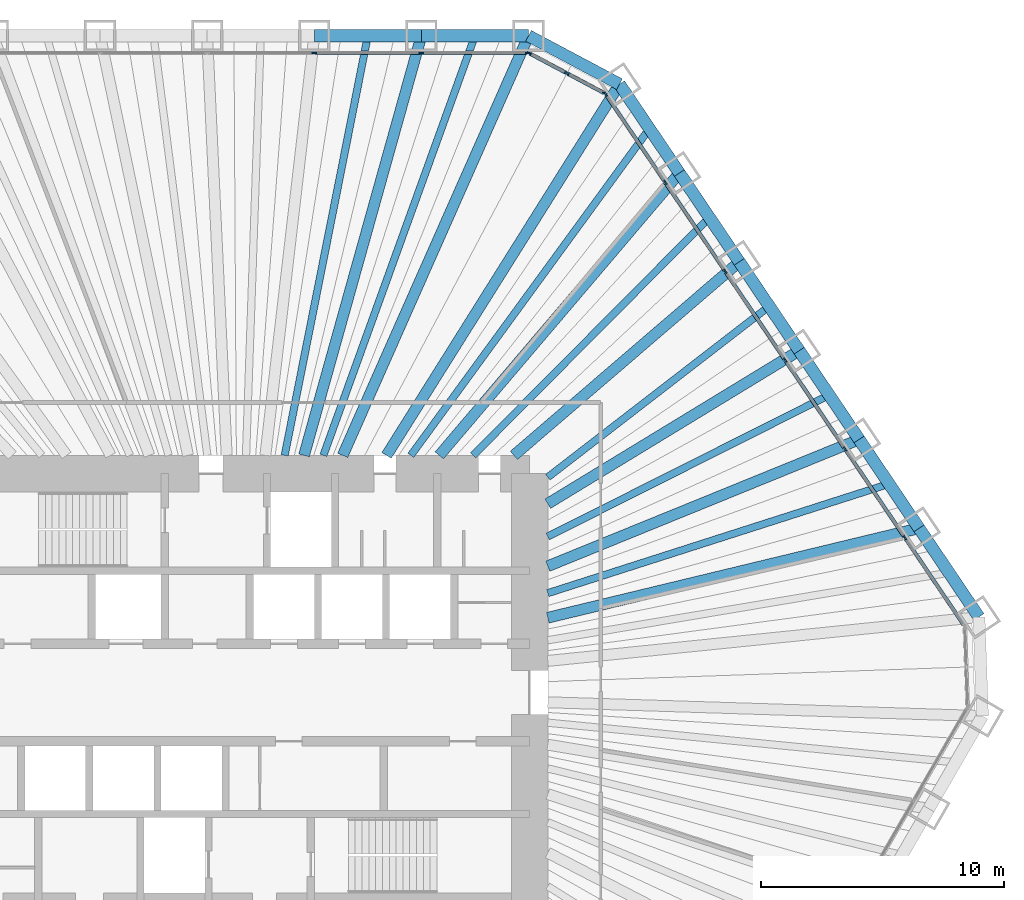
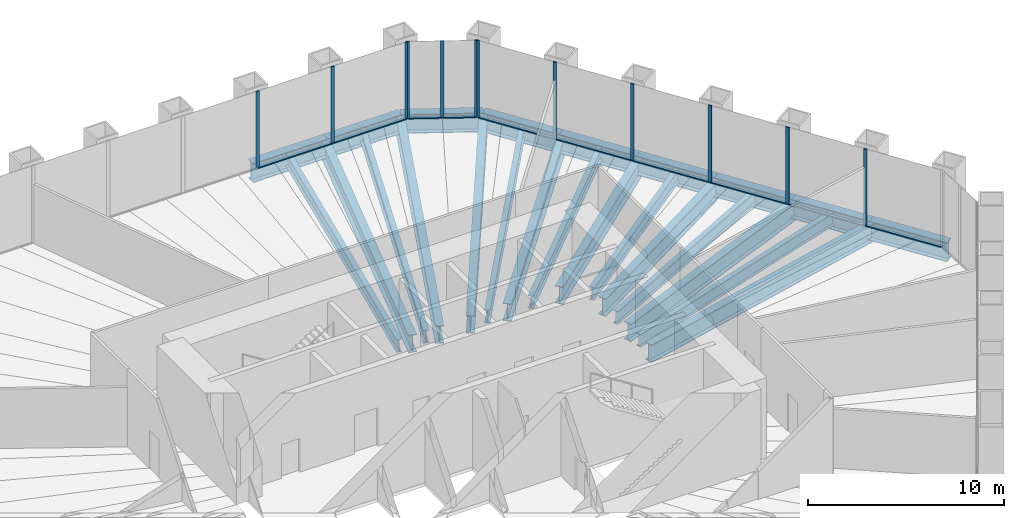
# One storey, part 7 of 13: 24 beams, 22 members, 3 elements without a shape of their own.
"""IFC4 building model written with IfcOpenShell, lengths in metres."""

from ifc_helpers import new_model, si_unit, direction, frame, origin, origin_2d, place, context, subcontext, project, spatial, rectangle, i_section, extrude, material, material_profile, profile_set, type_object, element, aggregate, save


model = new_model("IFC4")

# Units and contexts
model_context = context("Model", 3, precision=1e-05, world=origin(), true_north=direction((0.0, 1.0)))
body_context = subcontext(model_context, "Body", "Model", "MODEL_VIEW")
ifc_project = project(units=[si_unit("LENGTHUNIT", "METRE"), si_unit("AREAUNIT", "SQUARE_METRE"), si_unit("VOLUMEUNIT", "CUBIC_METRE"), si_unit("PLANEANGLEUNIT", "RADIAN"), si_unit("MASSUNIT", "GRAM", prefix="KILO")], contexts=[model_context])

# Site, building, storey
site_placement = place(None, origin())
site = spatial("IfcSite", under=ifc_project, at=site_placement, CompositionType="ELEMENT")
building_placement = place(site_placement, origin())
building = spatial("IfcBuilding", under=site, at=building_placement, Name="Qingtian Harvest Tower", CompositionType="ELEMENT")
storey_placement = place(building_placement, frame((0.0, 0.0, 22.0)))
storey = spatial("IfcBuildingStorey", under=building, at=storey_placement, Name="L04", CompositionType="ELEMENT", Elevation=22.0)

# Beams
ifc_material_1 = material(Name="Steel SM570MC", Category="steel")
ifc_material_profile_1 = material_profile(ifc_material_1, i_section(OverallWidth=0.449951171875, OverallDepth=1.10009765625, WebThickness=0.02197265625, FlangeThickness=0.044921875, at=origin_2d()), Name="H1100x450x22x45")
ifc_profile_set_1 = profile_set([ifc_material_profile_1], Name="Steel SM570MC")
beam_type_1 = type_object("IfcBeamType", Name="Corner floor beam FB8 H1100x450x22x45", PredefinedType="BEAM", material=ifc_profile_set_1)
beam_1_placement = place(storey_placement, frame((11.9560546875, 27.0, -0.75), z_axis=(-0.404898955654, -0.914361436036, 0.0), x_axis=(0.914361436036, -0.404898955654, 0.0)))
element("IfcBeam", 1, at=beam_1_placement, inside=storey, type_object=beam_type_1, Name="Floor beam FB8 N6", PredefinedType="BEAM", context=body_context, shape_type="SweptSolid", body=[
    extrude(i_section(OverallWidth=0.449951171875, OverallDepth=1.10009765625, WebThickness=0.02197265625, FlangeThickness=0.044921875, at=origin_2d()), origin(), (0.0, 0.0, 1.0), 18.86572265625),
])
beam_2_placement = place(storey_placement, frame((15.6982421875, 25.01025390625, -0.75), z_axis=(-0.531622796942, -0.846981228701, 0.0), x_axis=(0.846981228701, -0.531622796942, 0.0)))
element("IfcBeam", 2, at=beam_2_placement, inside=storey, type_object=beam_type_1, Name="Floor beam FB8 NE0", PredefinedType="BEAM", context=body_context, shape_type="SweptSolid", body=[
    extrude(i_section(OverallWidth=0.449951171875, OverallDepth=1.10009765625, WebThickness=0.02197265625, FlangeThickness=0.044921875, at=origin_2d()), origin(), (0.0, 0.0, 1.0), 18.017333984375),
])
ifc_material_2 = material(Name="Steel SM570MC", Category="steel")
ifc_material_profile_2 = material_profile(ifc_material_2, i_section(OverallWidth=0.449951171875, OverallDepth=1.10009765625, WebThickness=0.02197265625, FlangeThickness=0.044921875, at=origin_2d()), Name="H1100x450x22x45")
ifc_profile_set_2 = profile_set([ifc_material_profile_2], Name="Steel SM570MC")
beam_type_2 = type_object("IfcBeamType", Name="Floor beam FB1 H1100x450x22x45", PredefinedType="BEAM", material=ifc_profile_set_2)
beam_3_placement = place(storey_placement, frame((7.551513671875, 27.0, -0.75), z_axis=(-0.269343258019, -0.963044240604, 0.0), x_axis=(0.963044240604, -0.269343258019, 0.0)))
element("IfcBeam", 3, at=beam_3_placement, inside=storey, type_object=beam_type_2, Name="Floor beam FB1 N5", PredefinedType="BEAM", context=body_context, shape_type="SweptSolid", body=[
    extrude(i_section(OverallWidth=0.449951171875, OverallDepth=1.10009765625, WebThickness=0.02197265625, FlangeThickness=0.044921875, at=origin_2d()), origin(), (0.0, 0.0, 1.0), 17.911865234375),
])
beam_4_placement = place(storey_placement, frame((18.1611328125, 21.358642578125, -0.75), z_axis=(-0.647781887327, -0.761825850474, 0.0), x_axis=(0.761825850474, -0.647781887327, 0.0)))
element("IfcBeam", 4, at=beam_4_placement, inside=storey, type_object=beam_type_2, Name="Floor beam FB1 NE1", PredefinedType="BEAM", context=body_context, shape_type="SweptSolid", body=[
    extrude(i_section(OverallWidth=0.449951171875, OverallDepth=1.10009765625, WebThickness=0.02197265625, FlangeThickness=0.044921875, at=origin_2d()), origin(), (0.0, 0.0, 1.0), 15.238037109375),
])
beam_5_placement = place(storey_placement, frame((20.624267578125, 17.70703125, -0.75), z_axis=(-0.75873153072, -0.651403457384, 0.0), x_axis=(0.651403457384, -0.75873153072, 0.0)))
element("IfcBeam", 5, at=beam_5_placement, inside=storey, type_object=beam_type_2, Name="Floor beam FB1 NE2", PredefinedType="BEAM", context=body_context, shape_type="SweptSolid", body=[
    extrude(i_section(OverallWidth=0.449951171875, OverallDepth=1.10009765625, WebThickness=0.02197265625, FlangeThickness=0.044921875, at=origin_2d()), origin(), (0.0, 0.0, 1.0), 12.21533203125),
])
beam_6_placement = place(storey_placement, frame((23.08740234375, 14.0556640625, -0.75), z_axis=(-0.854157261259, -0.520014781558, 0.0), x_axis=(0.520014781558, -0.854157261259, 0.0)))
element("IfcBeam", 6, at=beam_6_placement, inside=storey, type_object=beam_type_2, Name="Floor beam FB1 NE3", PredefinedType="BEAM", context=body_context, shape_type="SweptSolid", body=[
    extrude(i_section(OverallWidth=0.449951171875, OverallDepth=1.10009765625, WebThickness=0.02197265625, FlangeThickness=0.044921875, at=origin_2d()), origin(), (0.0, 0.0, 1.0), 12.1025390625),
])
beam_7_placement = place(storey_placement, frame((25.55029296875, 10.404052734375, -0.75), z_axis=(-0.926156354735, -0.37713977062, 0.0), x_axis=(0.37713977062, -0.926156354735, 0.0)))
element("IfcBeam", 7, at=beam_7_placement, inside=storey, type_object=beam_type_2, Name="Floor beam FB1 NE4", PredefinedType="BEAM", context=body_context, shape_type="SweptSolid", body=[
    extrude(i_section(OverallWidth=0.449951171875, OverallDepth=1.10009765625, WebThickness=0.02197265625, FlangeThickness=0.044921875, at=origin_2d()), origin(), (0.0, 0.0, 1.0), 13.82080078125),
])
beam_8_placement = place(storey_placement, frame((28.013427734375, 6.75244140625, -0.75), z_axis=(-0.972155908389, -0.234334994792, 0.0), x_axis=(0.234334994792, -0.972155908389, 0.0)))
element("IfcBeam", 8, at=beam_8_placement, inside=storey, type_object=beam_type_2, Name="Floor beam FB1 NE5", PredefinedType="BEAM", context=body_context, shape_type="SweptSolid", body=[
    extrude(i_section(OverallWidth=0.449951171875, OverallDepth=1.10009765625, WebThickness=0.02197265625, FlangeThickness=0.044921875, at=origin_2d()), origin(), (0.0, 0.0, 1.0), 15.70068359375),
])
ifc_material_3 = material(Name="Steel SN490B", Category="steel")
ifc_material_profile_3 = material_profile(ifc_material_3, i_section(OverallWidth=0.300048828125, OverallDepth=0.800048828125, WebThickness=0.013916015625, FlangeThickness=0.02587890625, at=origin_2d()), Name="H800x300x14x26")
ifc_profile_set_3 = profile_set([ifc_material_profile_3], Name="Steel SN490B")
beam_type_3 = type_object("IfcBeamType", Name="Floor joist J1 H800x300x14x26", PredefinedType="JOIST", material=ifc_profile_set_3)
beam_9_placement = place(storey_placement, frame((5.349365234375, 27.0, -0.60009765625), z_axis=(-0.19435104803, -0.980932041545, 0.0), x_axis=(0.980932041545, -0.19435104803, 0.0)))
element("IfcBeam", 9, at=beam_9_placement, inside=storey, type_object=beam_type_3, Name="Floor joist J1 N4", PredefinedType="JOIST", context=body_context, shape_type="SweptSolid", body=[
    extrude(i_section(OverallWidth=0.300048828125, OverallDepth=0.800048828125, WebThickness=0.013916015625, FlangeThickness=0.02587890625, at=origin_2d()), origin(), (0.0, 0.0, 1.0), 17.585205078125),
])
beam_10_placement = place(storey_placement, frame((9.75390625, 27.0, -0.60009765625), z_axis=(-0.339766141765, -0.940509951521, 0.0), x_axis=(0.940509951521, -0.339766141765, 0.0)))
element("IfcBeam", 10, at=beam_10_placement, inside=storey, type_object=beam_type_3, Name="Floor joist J1 N5", PredefinedType="JOIST", context=body_context, shape_type="SweptSolid", body=[
    extrude(i_section(OverallWidth=0.300048828125, OverallDepth=0.800048828125, WebThickness=0.013916015625, FlangeThickness=0.02587890625, at=origin_2d()), origin(), (0.0, 0.0, 1.0), 18.341064453125),
])
beam_11_placement = place(storey_placement, frame((16.9296875, 23.1845703125, -0.60009765625), z_axis=(-0.589722175422, -0.80760618857, 0.0), x_axis=(0.80760618857, -0.589722175422, 0.0)))
element("IfcBeam", 11, at=beam_11_placement, inside=storey, type_object=beam_type_3, Name="Floor joist J1 NE0", PredefinedType="JOIST", context=body_context, shape_type="SweptSolid", body=[
    extrude(i_section(OverallWidth=0.300048828125, OverallDepth=0.800048828125, WebThickness=0.013916015625, FlangeThickness=0.02587890625, at=origin_2d()), origin(), (0.0, 0.0, 1.0), 16.635009765625),
])
beam_12_placement = place(storey_placement, frame((19.392822265625, 19.532958984375, -0.60009765625), z_axis=(-0.704560879039, -0.709643549768, 0.0), x_axis=(0.709643549768, -0.704560879039, 0.0)))
element("IfcBeam", 12, at=beam_12_placement, inside=storey, type_object=beam_type_3, Name="Floor joist J1 NE1", PredefinedType="JOIST", context=body_context, shape_type="SweptSolid", body=[
    extrude(i_section(OverallWidth=0.300048828125, OverallDepth=0.800048828125, WebThickness=0.013916015625, FlangeThickness=0.02587890625, at=origin_2d()), origin(), (0.0, 0.0, 1.0), 13.78564453125),
])
beam_13_placement = place(storey_placement, frame((21.855712890625, 15.88134765625, -0.60009765625), z_axis=(-0.79149450594, -0.611176281499, 0.0), x_axis=(0.611176281499, -0.79149450594, 0.0)))
element("IfcBeam", 13, at=beam_13_placement, inside=storey, type_object=beam_type_3, Name="Floor joist J1 NE2", PredefinedType="JOIST", context=body_context, shape_type="SweptSolid", body=[
    extrude(i_section(OverallWidth=0.300048828125, OverallDepth=0.800048828125, WebThickness=0.013916015625, FlangeThickness=0.02587890625, at=origin_2d()), origin(), (0.0, 0.0, 1.0), 11.50439453125),
])
beam_14_placement = place(storey_placement, frame((24.31884765625, 12.229736328125, -0.60009765625), z_axis=(-0.893391632689, -0.449278744924, 0.0), x_axis=(0.449278744924, -0.893391632689, 0.0)))
element("IfcBeam", 14, at=beam_14_placement, inside=storey, type_object=beam_type_3, Name="Floor joist J1 NE3", PredefinedType="JOIST", context=body_context, shape_type="SweptSolid", body=[
    extrude(i_section(OverallWidth=0.300048828125, OverallDepth=0.800048828125, WebThickness=0.013916015625, FlangeThickness=0.02587890625, at=origin_2d()), origin(), (0.0, 0.0, 1.0), 12.949462890625),
])
beam_15_placement = place(storey_placement, frame((26.78173828125, 8.578125, -0.60009765625), z_axis=(-0.952340804978, -0.305036048976, 0.0), x_axis=(0.305036048976, -0.952340804978, 0.0)))
element("IfcBeam", 15, at=beam_15_placement, inside=storey, type_object=beam_type_3, Name="Floor joist J1 NE4", PredefinedType="JOIST", context=body_context, shape_type="SweptSolid", body=[
    extrude(i_section(OverallWidth=0.300048828125, OverallDepth=0.800048828125, WebThickness=0.013916015625, FlangeThickness=0.02587890625, at=origin_2d()), origin(), (0.0, 0.0, 1.0), 14.73388671875),
])

# Curtain wall, members
ifc_material_4 = material(Name="Bronze-anodised aluminium curtain wall", Category="aluminium")
curtain_wall_type = type_object("IfcCurtainWallType", Name="Curtain wall CW2 farm reception", PredefinedType="USERDEFINED", material=ifc_material_4)
curtain_wall_1_placement = place(storey_placement, origin())
curtain_wall_1 = element("IfcCurtainWall", 16, at=curtain_wall_1_placement, inside=storey, type_object=curtain_wall_type, Name="Curtain wall CW2 L04 N0-5", ObjectType="RECESSED CURTAIN WALL", PredefinedType="USERDEFINED")
ifc_material_5 = material(Name="Bronze-anodised aluminium mullion", Category="aluminium")
ifc_material_profile_4 = material_profile(ifc_material_5, rectangle(XDim=0.06494140625, YDim=0.199951171875, at=origin_2d()), Name="AL 65x200")
ifc_profile_set_4 = profile_set([ifc_material_profile_4], Name="Bronze-anodised aluminium mullion")
member_type_1 = type_object("IfcMemberType", Name="Mullion CWM 65x200", PredefinedType="MULLION", material=ifc_profile_set_4)
member_1_placement = place(storey_placement, frame((3.14697265625, 26.300048828125, 0.0), z_axis=(0.0, 0.0, 1.0), x_axis=(0.0, 1.0, 0.0)))
member_1 = element("IfcMember", 17, at=member_1_placement, type_object=member_type_1, Name="CW2 mullion 5", PredefinedType="MULLION", context=body_context, shape_type="SweptSolid", body=[
    extrude(rectangle(XDim=0.06494140625, YDim=0.199951171875, at=origin_2d()), origin(), (0.0, 0.0, 1.0), 4.800048828125),
])
member_2_placement = place(storey_placement, frame((7.551513671875, 26.300048828125, 0.0), z_axis=(0.0, 0.0, 1.0), x_axis=(0.0, 1.0, 0.0)))
member_2 = element("IfcMember", 18, at=member_2_placement, type_object=member_type_1, Name="CW2 mullion 6", PredefinedType="MULLION", context=body_context, shape_type="SweptSolid", body=[
    extrude(rectangle(XDim=0.06494140625, YDim=0.199951171875, at=origin_2d()), origin(), (0.0, 0.0, 1.0), 4.800048828125),
])
member_3_placement = place(storey_placement, frame((11.923583984375, 26.300048828125, 0.0), z_axis=(0.0, 0.0, 1.0), x_axis=(0.0, 1.0, 0.0)))
member_3 = element("IfcMember", 19, at=member_3_placement, type_object=member_type_1, Name="CW2 mullion 7", PredefinedType="MULLION", context=body_context, shape_type="SweptSolid", body=[
    extrude(rectangle(XDim=0.06494140625, YDim=0.199951171875, at=origin_2d()), origin(), (0.0, 0.0, 1.0), 4.800048828125),
])

curtain_wall_2_placement = place(storey_placement, origin())
curtain_wall_2 = element("IfcCurtainWall", 20, at=curtain_wall_2_placement, inside=storey, type_object=curtain_wall_type, Name="Curtain wall CW2 L04 NC", ObjectType="RECESSED CURTAIN WALL", PredefinedType="USERDEFINED")
member_4_placement = place(storey_placement, frame((11.98486328125, 26.28466796875, 0.0), z_axis=(0.0, 0.0, 1.0), x_axis=(0.469471562786, 0.882947592859, 0.0)))
member_4 = element("IfcMember", 21, at=member_4_placement, type_object=member_type_1, Name="CW2 mullion 1", PredefinedType="MULLION", context=body_context, shape_type="SweptSolid", body=[
    extrude(rectangle(XDim=0.06494140625, YDim=0.199951171875, at=origin_2d()), origin(), (0.0, 0.0, 1.0), 4.800048828125),
])
member_5_placement = place(storey_placement, frame((13.537109375, 25.45947265625, 0.0), z_axis=(0.0, 0.0, 1.0), x_axis=(0.469471562786, 0.882947592859, 0.0)))
member_5 = element("IfcMember", 22, at=member_5_placement, type_object=member_type_1, Name="CW2 mullion 2", PredefinedType="MULLION", context=body_context, shape_type="SweptSolid", body=[
    extrude(rectangle(XDim=0.06494140625, YDim=0.199951171875, at=origin_2d()), origin(), (0.0, 0.0, 1.0), 4.800048828125),
])
member_6_placement = place(storey_placement, frame((15.089111328125, 24.634033203125, 0.0), z_axis=(0.0, 0.0, 1.0), x_axis=(0.469471562786, 0.882947592859, 0.0)))
member_6 = element("IfcMember", 23, at=member_6_placement, type_object=member_type_1, Name="CW2 mullion 3", PredefinedType="MULLION", context=body_context, shape_type="SweptSolid", body=[
    extrude(rectangle(XDim=0.06494140625, YDim=0.199951171875, at=origin_2d()), origin(), (0.0, 0.0, 1.0), 4.800048828125),
])

curtain_wall_3_placement = place(storey_placement, origin())
curtain_wall_3 = element("IfcCurtainWall", 24, at=curtain_wall_3_placement, inside=storey, type_object=curtain_wall_type, Name="Curtain wall CW2 L04 NE0-5", ObjectType="RECESSED CURTAIN WALL", PredefinedType="USERDEFINED")
member_7_placement = place(storey_placement, frame((15.135986328125, 24.592041015625, 0.0), z_axis=(0.0, 0.0, 1.0), x_axis=(0.829037572555, 0.559192903471, 0.0)))
member_7 = element("IfcMember", 25, at=member_7_placement, type_object=member_type_1, Name="CW2 mullion 1", PredefinedType="MULLION", context=body_context, shape_type="SweptSolid", body=[
    extrude(rectangle(XDim=0.06494140625, YDim=0.199951171875, at=origin_2d()), origin(), (0.0, 0.0, 1.0), 4.800048828125),
])
member_8_placement = place(storey_placement, frame((17.580810546875, 20.96728515625, 0.0), z_axis=(0.0, 0.0, 1.0), x_axis=(0.829037572555, 0.559192903471, 0.0)))
member_8 = element("IfcMember", 26, at=member_8_placement, type_object=member_type_1, Name="CW2 mullion 2", PredefinedType="MULLION", context=body_context, shape_type="SweptSolid", body=[
    extrude(rectangle(XDim=0.06494140625, YDim=0.199951171875, at=origin_2d()), origin(), (0.0, 0.0, 1.0), 4.800048828125),
])
member_9_placement = place(storey_placement, frame((20.0439453125, 17.315673828125, 0.0), z_axis=(0.0, 0.0, 1.0), x_axis=(0.829037572555, 0.559192903471, 0.0)))
member_9 = element("IfcMember", 27, at=member_9_placement, type_object=member_type_1, Name="CW2 mullion 3", PredefinedType="MULLION", context=body_context, shape_type="SweptSolid", body=[
    extrude(rectangle(XDim=0.06494140625, YDim=0.199951171875, at=origin_2d()), origin(), (0.0, 0.0, 1.0), 4.800048828125),
])
member_10_placement = place(storey_placement, frame((22.507080078125, 13.6640625, 0.0), z_axis=(0.0, 0.0, 1.0), x_axis=(0.829037572555, 0.559192903471, 0.0)))
member_10 = element("IfcMember", 28, at=member_10_placement, type_object=member_type_1, Name="CW2 mullion 4", PredefinedType="MULLION", context=body_context, shape_type="SweptSolid", body=[
    extrude(rectangle(XDim=0.06494140625, YDim=0.199951171875, at=origin_2d()), origin(), (0.0, 0.0, 1.0), 4.800048828125),
])
member_11_placement = place(storey_placement, frame((24.969970703125, 10.012451171875, 0.0), z_axis=(0.0, 0.0, 1.0), x_axis=(0.829037572555, 0.559192903471, 0.0)))
member_11 = element("IfcMember", 29, at=member_11_placement, type_object=member_type_1, Name="CW2 mullion 5", PredefinedType="MULLION", context=body_context, shape_type="SweptSolid", body=[
    extrude(rectangle(XDim=0.06494140625, YDim=0.199951171875, at=origin_2d()), origin(), (0.0, 0.0, 1.0), 4.800048828125),
])
member_12_placement = place(storey_placement, frame((27.43310546875, 6.36083984375, 0.0), z_axis=(0.0, 0.0, 1.0), x_axis=(0.829037572555, 0.559192903471, 0.0)))
member_12 = element("IfcMember", 30, at=member_12_placement, type_object=member_type_1, Name="CW2 mullion 6", PredefinedType="MULLION", context=body_context, shape_type="SweptSolid", body=[
    extrude(rectangle(XDim=0.06494140625, YDim=0.199951171875, at=origin_2d()), origin(), (0.0, 0.0, 1.0), 4.800048828125),
])

# Beams
ifc_material_6 = material(Name="Steel SM570MC", Category="steel")
ifc_material_profile_5 = material_profile(ifc_material_6, i_section(OverallWidth=0.5, OverallDepth=1.199951171875, WebThickness=0.02490234375, FlangeThickness=0.050048828125, at=origin_2d()), Name="H1200x500x25x50")
ifc_profile_set_5 = profile_set([ifc_material_profile_5], Name="Steel SM570MC")
beam_type_4 = type_object("IfcBeamType", Name="Spandrel beam SB1 H1200x500x25x50", PredefinedType="SPANDREL", material=ifc_profile_set_5)
for number, where, z_axis, x_axis, name in (
    (31, (3.14697265625, 27.0, -0.60009765625), (1.0, 0.0, 0.0), (0.0, 1.0, 0.0), "Spandrel SB1 N4"),
    (32, (7.551513671875, 27.0, -0.60009765625), (1.0, 0.0, 0.0), (0.0, 1.0, 0.0), "Spandrel SB1 N5"),
):
    element("IfcBeam", number, at=place(storey_placement, frame(where, z_axis=z_axis, x_axis=x_axis)), inside=storey, type_object=beam_type_4, Name=name, PredefinedType="SPANDREL", context=body_context, shape_type="SweptSolid", body=[
        extrude(i_section(OverallWidth=0.5, OverallDepth=1.199951171875, WebThickness=0.02490234375, FlangeThickness=0.050048828125, at=origin_2d()), origin(), (0.0, 0.0, 1.0), 4.404541015625),
    ])
beam_16_placement = place(storey_placement, frame((11.9560546875, 27.0, -0.60009765625), z_axis=(0.882948599748, -0.469469669099, 0.0), x_axis=(0.469469669099, 0.882948599748, 0.0)))
element("IfcBeam", 33, at=beam_16_placement, inside=storey, type_object=beam_type_4, Name="Spandrel SB1 NC", PredefinedType="SPANDREL", context=body_context, shape_type="SweptSolid", body=[
    extrude(i_section(OverallWidth=0.5, OverallDepth=1.199951171875, WebThickness=0.02490234375, FlangeThickness=0.050048828125, at=origin_2d()), origin(), (0.0, 0.0, 1.0), 4.23828125),
])
beam_17_placement = place(storey_placement, frame((15.6982421875, 25.01025390625, -0.60009765625), z_axis=(0.559169135272, -0.829053603912, 0.0), x_axis=(0.829053603912, 0.559169135272, 0.0)))
element("IfcBeam", 34, at=beam_17_placement, inside=storey, type_object=beam_type_4, Name="Spandrel SB1 NE0", PredefinedType="SPANDREL", context=body_context, shape_type="SweptSolid", body=[
    extrude(i_section(OverallWidth=0.5, OverallDepth=1.199951171875, WebThickness=0.02490234375, FlangeThickness=0.050048828125, at=origin_2d()), origin(), (0.0, 0.0, 1.0), 4.404541015625),
])
beam_18_placement = place(storey_placement, frame((18.1611328125, 21.358642578125, -0.60009765625), z_axis=(0.559207231603, -0.829027907928, 0.0), x_axis=(0.829027907928, 0.559207231603, 0.0)))
element("IfcBeam", 35, at=beam_18_placement, inside=storey, type_object=beam_type_4, Name="Spandrel SB1 NE1", PredefinedType="SPANDREL", context=body_context, shape_type="SweptSolid", body=[
    extrude(i_section(OverallWidth=0.5, OverallDepth=1.199951171875, WebThickness=0.02490234375, FlangeThickness=0.050048828125, at=origin_2d()), origin(), (0.0, 0.0, 1.0), 4.40478515625),
])
for number, where, z_axis, x_axis, name in (
    (36, (20.624267578125, 17.70703125, -0.60009765625), (0.559232928578, -0.829010573874, 0.0), (0.829010573874, 0.559232928578, 0.0), "Spandrel SB1 NE2"),
    (37, (23.08740234375, 14.0556640625, -0.60009765625), (0.559169135272, -0.829053603912, 0.0), (0.829053603912, 0.559169135272, 0.0), "Spandrel SB1 NE3"),
):
    element("IfcBeam", number, at=place(storey_placement, frame(where, z_axis=z_axis, x_axis=x_axis)), inside=storey, type_object=beam_type_4, Name=name, PredefinedType="SPANDREL", context=body_context, shape_type="SweptSolid", body=[
        extrude(i_section(OverallWidth=0.5, OverallDepth=1.199951171875, WebThickness=0.02490234375, FlangeThickness=0.050048828125, at=origin_2d()), origin(), (0.0, 0.0, 1.0), 4.404541015625),
    ])
beam_19_placement = place(storey_placement, frame((25.55029296875, 10.404052734375, -0.60009765625), z_axis=(0.559207231603, -0.829027907928, 0.0), x_axis=(0.829027907928, 0.559207231603, 0.0)))
element("IfcBeam", 38, at=beam_19_placement, inside=storey, type_object=beam_type_4, Name="Spandrel SB1 NE4", PredefinedType="SPANDREL", context=body_context, shape_type="SweptSolid", body=[
    extrude(i_section(OverallWidth=0.5, OverallDepth=1.199951171875, WebThickness=0.02490234375, FlangeThickness=0.050048828125, at=origin_2d()), origin(), (0.0, 0.0, 1.0), 4.40478515625),
])
beam_20_placement = place(storey_placement, frame((28.013427734375, 6.75244140625, -0.60009765625), z_axis=(0.559169135272, -0.829053603912, 0.0), x_axis=(0.829053603912, 0.559169135272, 0.0)))
element("IfcBeam", 39, at=beam_20_placement, inside=storey, type_object=beam_type_4, Name="Spandrel SB1 NE5", PredefinedType="SPANDREL", context=body_context, shape_type="SweptSolid", body=[
    extrude(i_section(OverallWidth=0.5, OverallDepth=1.199951171875, WebThickness=0.02490234375, FlangeThickness=0.050048828125, at=origin_2d()), origin(), (0.0, 0.0, 1.0), 4.404541015625),
])

# Member
ifc_material_7 = material(Name="Bronze-anodised aluminium transom", Category="aluminium")
ifc_material_profile_6 = material_profile(ifc_material_7, rectangle(XDim=0.14990234375, YDim=0.06494140625, at=origin_2d()), Name="AL 65x150")
ifc_profile_set_6 = profile_set([ifc_material_profile_6], Name="Bronze-anodised aluminium transom")
member_type_2 = type_object("IfcMemberType", Name="Transom CWT 65x150", PredefinedType="USERDEFINED", material=ifc_profile_set_6)
member_13_placement = place(storey_placement, frame((3.179443359375, 26.300048828125, 0.032470703125), z_axis=(1.0, 0.0, 0.0), x_axis=(0.0, 1.0, 0.0)))
member_13 = element("IfcMember", 40, at=member_13_placement, type_object=member_type_2, Name="CW2 transom 5.1", ObjectType="TRANSOM", PredefinedType="USERDEFINED", context=body_context, shape_type="SweptSolid", body=[
    extrude(rectangle(XDim=0.14990234375, YDim=0.06494140625, at=origin_2d()), origin(), (0.0, 0.0, 1.0), 4.339599609375),
])

member_14_placement = place(storey_placement, frame((7.583984375, 26.300048828125, 0.032470703125), z_axis=(1.0, 0.0, 0.0), x_axis=(0.0, 1.0, 0.0)))
member_14 = element("IfcMember", 41, at=member_14_placement, type_object=member_type_2, Name="CW2 transom 6.1", ObjectType="TRANSOM", PredefinedType="USERDEFINED", context=body_context, shape_type="SweptSolid", body=[
    extrude(rectangle(XDim=0.14990234375, YDim=0.06494140625, at=origin_2d()), origin(), (0.0, 0.0, 1.0), 4.30712890625),
])

aggregate(curtain_wall_1, [member_1, member_2, member_3, member_13, member_14])

member_15_placement = place(storey_placement, frame((12.013427734375, 26.26953125, 0.032470703125), z_axis=(0.882927080927, -0.469510138086, 0.0), x_axis=(0.469510138086, 0.882927080927, 0.0)))
member_15 = element("IfcMember", 42, at=member_15_placement, type_object=member_type_2, Name="CW2 transom 1.1", ObjectType="TRANSOM", PredefinedType="USERDEFINED", context=body_context, shape_type="SweptSolid", body=[
    extrude(rectangle(XDim=0.14990234375, YDim=0.06494140625, at=origin_2d()), origin(), (0.0, 0.0, 1.0), 1.693115234375),
])

member_16_placement = place(storey_placement, frame((13.565673828125, 25.444091796875, 0.032470703125), z_axis=(0.882986854304, -0.469397715297, 0.0), x_axis=(0.469397715297, 0.882986854304, 0.0)))
member_16 = element("IfcMember", 43, at=member_16_placement, type_object=member_type_2, Name="CW2 transom 2.1", ObjectType="TRANSOM", PredefinedType="USERDEFINED", context=body_context, shape_type="SweptSolid", body=[
    extrude(rectangle(XDim=0.14990234375, YDim=0.06494140625, at=origin_2d()), origin(), (0.0, 0.0, 1.0), 1.69287109375),
])

aggregate(curtain_wall_2, [member_4, member_5, member_6, member_15, member_16])

member_17_placement = place(storey_placement, frame((15.154296875, 24.56494140625, 0.032470703125), z_axis=(0.559178817275, -0.82904707364, 0.0), x_axis=(0.82904707364, 0.559178817275, 0.0)))
member_17 = element("IfcMember", 44, at=member_17_placement, type_object=member_type_2, Name="CW2 transom 1.1", ObjectType="TRANSOM", PredefinedType="USERDEFINED", context=body_context, shape_type="SweptSolid", body=[
    extrude(rectangle(XDim=0.14990234375, YDim=0.06494140625, at=origin_2d()), origin(), (0.0, 0.0, 1.0), 4.30712890625),
])

member_18_placement = place(storey_placement, frame((17.59912109375, 20.9404296875, 0.032470703125), z_axis=(0.559210013199, -0.82902603164, 0.0), x_axis=(0.82902603164, 0.559210013199, 0.0)))
member_18 = element("IfcMember", 45, at=member_18_placement, type_object=member_type_2, Name="CW2 transom 2.1", ObjectType="TRANSOM", PredefinedType="USERDEFINED", context=body_context, shape_type="SweptSolid", body=[
    extrude(rectangle(XDim=0.14990234375, YDim=0.06494140625, at=origin_2d()), origin(), (0.0, 0.0, 1.0), 4.339599609375),
])

member_19_placement = place(storey_placement, frame((20.06201171875, 17.288818359375, 0.032470703125), z_axis=(0.559210013199, -0.82902603164, 0.0), x_axis=(0.82902603164, 0.559210013199, 0.0)))
member_19 = element("IfcMember", 46, at=member_19_placement, type_object=member_type_2, Name="CW2 transom 3.1", ObjectType="TRANSOM", PredefinedType="USERDEFINED", context=body_context, shape_type="SweptSolid", body=[
    extrude(rectangle(XDim=0.14990234375, YDim=0.06494140625, at=origin_2d()), origin(), (0.0, 0.0, 1.0), 4.339599609375),
])

member_20_placement = place(storey_placement, frame((22.525146484375, 13.63720703125, 0.032470703125), z_axis=(0.559210013199, -0.82902603164, 0.0), x_axis=(0.82902603164, 0.559210013199, 0.0)))
member_20 = element("IfcMember", 47, at=member_20_placement, type_object=member_type_2, Name="CW2 transom 4.1", ObjectType="TRANSOM", PredefinedType="USERDEFINED", context=body_context, shape_type="SweptSolid", body=[
    extrude(rectangle(XDim=0.14990234375, YDim=0.06494140625, at=origin_2d()), origin(), (0.0, 0.0, 1.0), 4.339599609375),
])

member_21_placement = place(storey_placement, frame((24.98828125, 9.985595703125, 0.032470703125), z_axis=(0.559171345763, -0.829052113005, 0.0), x_axis=(0.829052113005, 0.559171345763, 0.0)))
member_21 = element("IfcMember", 48, at=member_21_placement, type_object=member_type_2, Name="CW2 transom 5.1", ObjectType="TRANSOM", PredefinedType="USERDEFINED", context=body_context, shape_type="SweptSolid", body=[
    extrude(rectangle(XDim=0.14990234375, YDim=0.06494140625, at=origin_2d()), origin(), (0.0, 0.0, 1.0), 4.339599609375),
])

member_22_placement = place(storey_placement, frame((27.451171875, 6.333984375, 0.032470703125), z_axis=(0.559178817275, -0.82904707364, 0.0), x_axis=(0.82904707364, 0.559178817275, 0.0)))
member_22 = element("IfcMember", 49, at=member_22_placement, type_object=member_type_2, Name="CW2 transom 6.1", ObjectType="TRANSOM", PredefinedType="USERDEFINED", context=body_context, shape_type="SweptSolid", body=[
    extrude(rectangle(XDim=0.14990234375, YDim=0.06494140625, at=origin_2d()), origin(), (0.0, 0.0, 1.0), 4.30712890625),
])

aggregate(curtain_wall_3, [member_7, member_8, member_9, member_10, member_11, member_12, member_17, member_18, member_19, member_20, member_21, member_22])

save(model, "model.ifc")
